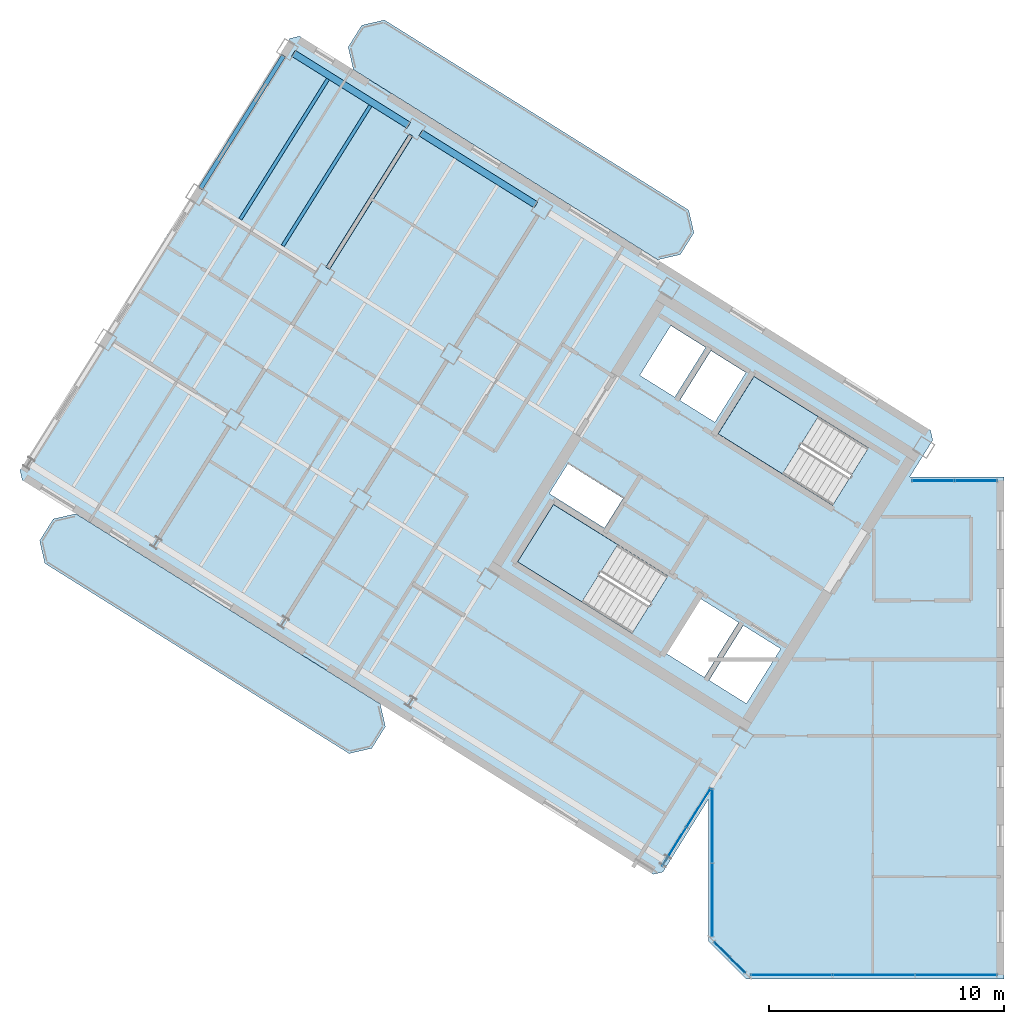
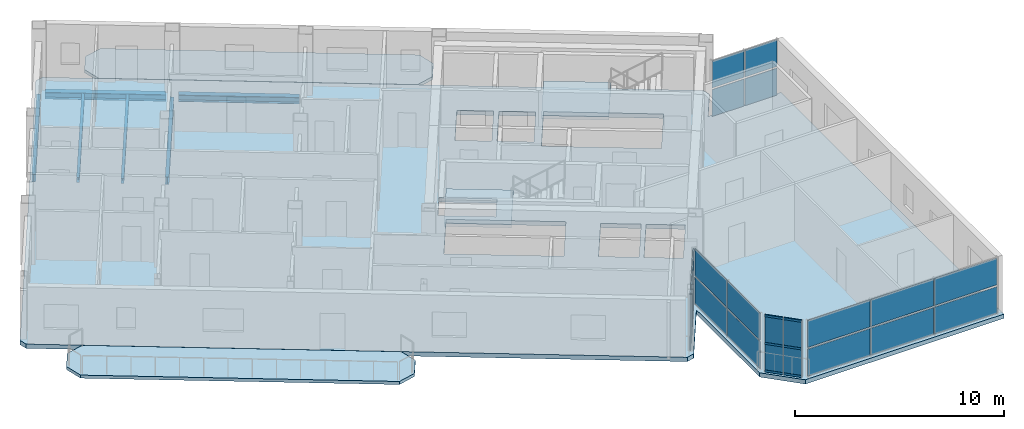
# One storey, part 7 of 14: 22 plates, 6 beams, 6 members, 5 slabs, 7 elements without a shape of their own.
"""IFC4 building model written with IfcOpenShell, lengths in metres."""

from ifc_helpers import new_model, si_unit, direction, frame, origin, origin_2d, place, context, subcontext, project, spatial, polyline, rectangle, hollow_rectangle, i_section, outline, extrude, source, transform, mapped, material, layer, layer_set, material_profile, profile_set, type_object, element, aggregate, save


model = new_model("IFC4")

# Units and contexts
model_context = context("Model", 3, precision=1e-05, world=origin(), true_north=direction((0.0, 1.0)))
body_context = subcontext(model_context, "Body", "Model", "MODEL_VIEW")
ifc_project = project(units=[si_unit("LENGTHUNIT", "METRE"), si_unit("AREAUNIT", "SQUARE_METRE"), si_unit("VOLUMEUNIT", "CUBIC_METRE"), si_unit("PLANEANGLEUNIT", "RADIAN"), si_unit("MASSUNIT", "GRAM", prefix="KILO")], contexts=[model_context])

# Site, building, storey
site_placement = place(None, origin())
site = spatial("IfcSite", under=ifc_project, at=site_placement, CompositionType="ELEMENT")
building_placement = place(site_placement, origin())
building = spatial("IfcBuilding", under=site, at=building_placement, Name="Tlacorven Tower", CompositionType="ELEMENT")
storey_placement = place(building_placement, frame((0.0, 0.0, 273.60009765625)))
storey = spatial("IfcBuildingStorey", under=building, at=storey_placement, Name="L69", CompositionType="ELEMENT", Elevation=273.60009765625)

# Beams
ifc_material_1 = material(Name="Steel S355J2", Category="steel")
ifc_material_profile_1 = material_profile(ifc_material_1, i_section(OverallWidth=0.300048828125, OverallDepth=0.389892578125, WebThickness=0.010986328125, FlangeThickness=0.01904296875, at=origin_2d()), Name="HEA 400")
ifc_profile_set_1 = profile_set([ifc_material_profile_1], Name="Steel S355J2")
beam_type_1 = type_object("IfcBeamType", Name="BM-SPN-400", PredefinedType="SPANDREL", material=ifc_profile_set_1)
shared_shape_1 = source(origin(), body_context, "Body", "SweptSolid", [
    extrude(i_section(OverallWidth=0.300048828125, OverallDepth=0.389892578125, WebThickness=0.010986328125, FlangeThickness=0.01904296875, at=origin_2d()), origin(), (0.0, 0.0, 1.0), 5.800048828125),
])
for number, where, z_axis, x_axis, name in (
    (1, (24.24609375, 34.8017578125, -0.445068359375), (-0.848052689693, 0.529911912967, 0.0), (-0.529911912967, -0.848052689693, 0.0), "L69 beam BM-L69-WL1-4"),
    (2, (18.818603515625, 38.193359375, -0.445068359375), (-0.848052689693, 0.529911912967, 0.0), (-0.529911912967, -0.848052689693, 0.0), "L69 beam BM-L69-WL1-5"),
):
    element("IfcBeam", number, at=place(storey_placement, frame(where, z_axis=z_axis, x_axis=x_axis)), inside=storey, type_object=beam_type_1, Name=name, PredefinedType="SPANDREL", context=body_context, shape_type="MappedRepresentation", body=[
        mapped(shared_shape_1, transform((0.0, 0.0, 0.0), scale=1.0)),
    ])
ifc_material_profile_2 = material_profile(ifc_material_1, i_section(OverallWidth=0.14990234375, OverallDepth=0.300048828125, WebThickness=0.007080078125, FlangeThickness=0.0107421875, at=origin_2d()), Name="IPE 300")
ifc_profile_set_2 = profile_set([ifc_material_profile_2], Name="Steel S355J2")
beam_type_2 = type_object("IfcBeamType", Name="BM-JST-300", PredefinedType="JOIST", material=ifc_profile_set_2)
shared_shape_2 = source(origin(), body_context, "Body", "SweptSolid", [
    extrude(i_section(OverallWidth=0.14990234375, OverallDepth=0.300048828125, WebThickness=0.007080078125, FlangeThickness=0.0107421875, at=origin_2d()), origin(), (0.0, 0.0, 1.0), 7.044921875),
])
for number, where, z_axis, x_axis, name in (
    (3, (17.181640625, 39.033447265625, -0.400146484375), (-0.529899256491, -0.848060598053, 0.0), (0.848060598053, -0.529899256491, 0.0), "L69 beam BM-L69-WJ5-1-1"),
    (4, (15.372314453125, 40.163818359375, -0.400146484375), (-0.52991483005, -0.848050866925, 0.0), (0.848050866925, -0.52991483005, 0.0), "L69 beam BM-L69-WJ5-1-2"),
):
    element("IfcBeam", number, at=place(storey_placement, frame(where, z_axis=z_axis, x_axis=x_axis)), inside=storey, type_object=beam_type_2, Name=name, PredefinedType="JOIST", context=body_context, shape_type="MappedRepresentation", body=[
        mapped(shared_shape_2, transform((0.0, 0.0, 0.0), scale=1.0)),
    ])
ifc_material_profile_3 = material_profile(ifc_material_1, i_section(OverallWidth=0.18994140625, OverallDepth=0.449951171875, WebThickness=0.009521484375, FlangeThickness=0.0146484375, at=origin_2d()), Name="IPE 450")
ifc_profile_set_3 = profile_set([ifc_material_profile_3], Name="Steel S355J2")
beam_type_3 = type_object("IfcBeamType", Name="BM-TWR-450", PredefinedType="BEAM", material=ifc_profile_set_3)
shared_shape_3 = source(origin(), body_context, "Body", "SweptSolid", [
    extrude(i_section(OverallWidth=0.18994140625, OverallDepth=0.449951171875, WebThickness=0.009521484375, FlangeThickness=0.0146484375, at=origin_2d()), origin(), (0.0, 0.0, 1.0), 6.699951171875),
])
beam_1_placement = place(storey_placement, frame((13.486328125, 41.17138671875, -0.47509765625), z_axis=(-0.529903948186, -0.848057666493, 0.0), x_axis=(0.848057666493, -0.529903948186, 0.0)))
element("IfcBeam", 5, at=beam_1_placement, inside=storey, type_object=beam_type_3, Name="L69 beam BM-L69-WT6-1", PredefinedType="BEAM", context=body_context, shape_type="MappedRepresentation", body=[
    mapped(shared_shape_3, transform((0.0, 0.0, 0.0), scale=1.0)),
])
shared_shape_4 = source(origin(), body_context, "Body", "SweptSolid", [
    extrude(i_section(OverallWidth=0.18994140625, OverallDepth=0.449951171875, WebThickness=0.009521484375, FlangeThickness=0.0146484375, at=origin_2d()), origin(), (0.0, 0.0, 1.0), 6.7001953125),
])
beam_2_placement = place(storey_placement, frame((18.9140625, 37.780029296875, -0.47509765625), z_axis=(-0.52991377951, -0.848051523367, 0.0), x_axis=(0.848051523367, -0.52991377951, 0.0)))
element("IfcBeam", 6, at=beam_2_placement, inside=storey, type_object=beam_type_3, Name="L69 beam BM-L69-WT5-1", PredefinedType="BEAM", context=body_context, shape_type="MappedRepresentation", body=[
    mapped(shared_shape_4, transform((0.0, 0.0, 0.0), scale=1.0)),
])

# Curtain wall, members
ifc_material_2 = material(Name="Dark solar low-E double glazing in aluminium frame", Category="aluminium")
curtain_wall_type = type_object("IfcCurtainWallType", Name="CW-TWR-HIGH", PredefinedType="USERDEFINED", material=ifc_material_2)
curtain_wall_1_placement = place(storey_placement, origin())
curtain_wall_1 = element("IfcCurtainWall", 7, at=curtain_wall_1_placement, inside=storey, type_object=curtain_wall_type, Name="L69 CW-TWR-HIGH Curtain Wall 320", ObjectType="UNITISED CURTAIN WALL", PredefinedType="USERDEFINED")
ifc_material_3 = material(Name="Aluminium 6063-T6 anodised", Category="aluminium")
ifc_material_profile_4 = material_profile(ifc_material_3, hollow_rectangle(XDim=0.054931640625, YDim=0.1201171875, WallThickness=0.00341796875, at=origin_2d()), Name="ALU TRANSOM 55X120")
ifc_profile_set_4 = profile_set([ifc_material_profile_4], Name="Aluminium 6063-T6 anodised")
member_type = type_object("IfcMemberType", Name="CWT-03", PredefinedType="USERDEFINED", material=ifc_profile_set_4)
shared_shape_5 = source(origin(), body_context, "Body", "SweptSolid", [
    extrude(hollow_rectangle(XDim=0.054931640625, YDim=0.1201171875, WallThickness=0.00341796875, at=origin_2d()), origin(), (0.0, 0.0, 1.0), 0.899169921875),
])
member_1_placement = place(storey_placement, frame((33.16162109375, 2.064697265625, 0.059814453125), z_axis=(-0.707106781187, 0.707106781187, 0.0), x_axis=(-0.707106781187, -0.707106781187, 0.0)))
member_1 = element("IfcMember", 8, at=member_1_placement, type_object=member_type, Name="CW-L69-320 Transom 1", ObjectType="TRANSOM", PredefinedType="USERDEFINED", context=body_context, shape_type="MappedRepresentation", body=[
    mapped(shared_shape_5, transform((0.0, 0.0, 0.0), scale=1.0)),
])
member_2_placement = place(storey_placement, frame((33.16162109375, 2.064697265625, 1.6748046875), z_axis=(-0.707106781187, 0.707106781187, 0.0), x_axis=(-0.707106781187, -0.707106781187, 0.0)))
member_2 = element("IfcMember", 9, at=member_2_placement, type_object=member_type, Name="CW-L69-320 Transom 2", ObjectType="TRANSOM", PredefinedType="USERDEFINED", context=body_context, shape_type="MappedRepresentation", body=[
    mapped(shared_shape_5, transform((0.0, 0.0, 0.0), scale=1.0)),
])
member_3_placement = place(storey_placement, frame((33.16162109375, 2.064697265625, 3.289794921875), z_axis=(-0.707106781187, 0.707106781187, 0.0), x_axis=(-0.707106781187, -0.707106781187, 0.0)))
member_3 = element("IfcMember", 10, at=member_3_placement, type_object=member_type, Name="CW-L69-320 Transom 3", ObjectType="TRANSOM", PredefinedType="USERDEFINED", context=body_context, shape_type="MappedRepresentation", body=[
    mapped(shared_shape_5, transform((0.0, 0.0, 0.0), scale=1.0)),
])
member_4_placement = place(storey_placement, frame((32.50048828125, 2.725830078125, 0.059814453125), z_axis=(-0.707106781187, 0.707106781187, 0.0), x_axis=(-0.707106781187, -0.707106781187, 0.0)))
member_4 = element("IfcMember", 11, at=member_4_placement, type_object=member_type, Name="CW-L69-320 Transom 4", ObjectType="TRANSOM", PredefinedType="USERDEFINED", context=body_context, shape_type="MappedRepresentation", body=[
    mapped(shared_shape_5, transform((0.0, 0.0, 0.0), scale=1.0)),
])
member_5_placement = place(storey_placement, frame((32.50048828125, 2.725830078125, 1.6748046875), z_axis=(-0.707106781187, 0.707106781187, 0.0), x_axis=(-0.707106781187, -0.707106781187, 0.0)))
member_5 = element("IfcMember", 12, at=member_5_placement, type_object=member_type, Name="CW-L69-320 Transom 5", ObjectType="TRANSOM", PredefinedType="USERDEFINED", context=body_context, shape_type="MappedRepresentation", body=[
    mapped(shared_shape_5, transform((0.0, 0.0, 0.0), scale=1.0)),
])
member_6_placement = place(storey_placement, frame((32.50048828125, 2.725830078125, 3.289794921875), z_axis=(-0.707106781187, 0.707106781187, 0.0), x_axis=(-0.707106781187, -0.707106781187, 0.0)))
member_6 = element("IfcMember", 13, at=member_6_placement, type_object=member_type, Name="CW-L69-320 Transom 6", ObjectType="TRANSOM", PredefinedType="USERDEFINED", context=body_context, shape_type="MappedRepresentation", body=[
    mapped(shared_shape_5, transform((0.0, 0.0, 0.0), scale=1.0)),
])

# Slabs
ifc_material_4 = material(Name="Precast concrete C45/55", Category="concrete")
ifc_layer_1 = layer(ifc_material_4, 0.179931640625)
ifc_layer_set_1 = layer_set([ifc_layer_1], Name="Precast concrete C45/55")
slab_type_1 = type_object("IfcSlabType", Name="SL-BAL-180", PredefinedType="USERDEFINED", material=ifc_layer_set_1)
slab_1_placement = place(storey_placement, frame((0.0, 0.0, -0.18017578125)))
element("IfcSlab", 14, at=slab_1_placement, inside=storey, type_object=slab_type_1, Name="L69 West Wing Balcony Ribbon OUT", ObjectType="BALCONY SLAB", PredefinedType="USERDEFINED", context=body_context, shape_type="SweptSolid", body=[
    extrude(outline(polyline([(17.601318359375, 13.52490234375), (4.626220703125, 21.632568359375), (3.66162109375, 21.409912109375), (3.081298828125, 20.4814453125), (3.303955078125, 19.516845703125), (16.279052734375, 11.408935546875), (17.24365234375, 11.6318359375), (17.823974609375, 12.560302734375), (17.601318359375, 13.52490234375)])), origin(), (0.0, 0.0, 1.0), 0.18017578125),
])
slab_2_placement = place(storey_placement, frame((0.0, 0.0, -0.18017578125)))
element("IfcSlab", 15, at=slab_2_placement, inside=storey, type_object=slab_type_1, Name="L69 West Wing Balcony Ribbon IN", ObjectType="BALCONY SLAB", PredefinedType="USERDEFINED", context=body_context, shape_type="SweptSolid", body=[
    extrude(outline(polyline([(30.756591796875, 34.57763671875), (17.781494140625, 42.685546875), (16.81689453125, 42.462890625), (16.236572265625, 41.5341796875), (16.459228515625, 40.569580078125), (29.434326171875, 32.4619140625), (30.39892578125, 32.6845703125), (30.979248046875, 33.613037109375), (30.756591796875, 34.57763671875)])), origin(), (0.0, 0.0, 1.0), 0.18017578125),
])

# Stair, slab
ifc_material_5 = material(Name="Concrete C40/50", Category="concrete")
stair_type = type_object("IfcStairType", Name="ST-CORE-DLG", PredefinedType="HALF_TURN_STAIR", material=ifc_material_5)
stair_1_placement = place(storey_placement, origin())
stair_1 = element("IfcStair", 16, at=stair_1_placement, inside=storey, type_object=stair_type, Name="L69 Protected Exit Stair West 1", PredefinedType="HALF_TURN_STAIR")
ifc_layer_2 = layer(ifc_material_5, 0.199951171875)
ifc_layer_set_2 = layer_set([ifc_layer_2], Name="Concrete C40/50")
slab_type_2 = type_object("IfcSlabType", Name="SL-LND-200", PredefinedType="LANDING", material=ifc_layer_set_2)
slab_3_placement = place(storey_placement, frame((0.0, 0.0, 1.599853515625)))
slab_3 = element("IfcSlab", 17, at=slab_3_placement, type_object=slab_type_2, Name="ST-W1 landing 1", PredefinedType="LANDING", context=body_context, shape_type="SweptSolid", body=[
    extrude(outline(polyline([(27.728515625, 20.315185546875), (24.9892578125, 22.02685546875), (23.463134765625, 19.58447265625), (26.2021484375, 17.872802734375), (27.728515625, 20.315185546875)])), origin(), (0.0, 0.0, 1.0), 0.199951171875),
])
aggregate(stair_1, [slab_3])

stair_2_placement = place(storey_placement, origin())
stair_2 = element("IfcStair", 18, at=stair_2_placement, inside=storey, type_object=stair_type, Name="L69 Protected Exit Stair West 2", PredefinedType="HALF_TURN_STAIR")
slab_4_placement = place(storey_placement, frame((0.0, 0.0, 1.599853515625)))
slab_4 = element("IfcSlab", 19, at=slab_4_placement, type_object=slab_type_2, Name="ST-W2 landing 1", PredefinedType="LANDING", context=body_context, shape_type="SweptSolid", body=[
    extrude(outline(polyline([(36.280029296875, 25.772705078125), (33.540771484375, 27.484375), (32.0146484375, 25.0419921875), (34.75390625, 23.33056640625), (36.280029296875, 25.772705078125)])), origin(), (0.0, 0.0, 1.0), 0.199951171875),
])
aggregate(stair_2, [slab_4])

# Slab
ifc_layer_3 = layer(ifc_material_5, 0.25)
ifc_layer_set_3 = layer_set([ifc_layer_3], Name="Concrete C40/50")
slab_type_3 = type_object("IfcSlabType", Name="SL-TWR-250", PredefinedType="FLOOR", material=ifc_layer_set_3)
slab_5_placement = place(storey_placement, frame((0.0, 0.0, -0.25)))
element("IfcSlab", 20, at=slab_5_placement, inside=storey, type_object=slab_type_3, Name="L69 Boomerang Tower Floor Slab", PredefinedType="FLOOR", context=body_context, shape_type="SweptSolid", body=[
    extrude(outline(polyline([(44.199951171875, 23.199951171875), (44.199951171875, 1.800048828125), (33.199951171875, 1.800048828125), (31.60009765625, 3.39990234375), (31.60009765625, 9.470703125), (29.652587890625, 6.35400390625), (29.2392578125, 6.258544921875), (2.339111328125, 23.067626953125), (2.24365234375, 23.481201171875), (13.75341796875, 41.900634765625), (14.1669921875, 41.99609375), (41.06689453125, 25.18701171875), (41.162353515625, 24.773681640625), (40.178955078125, 23.199951171875), (44.199951171875, 23.199951171875)]), holes=[polyline([(29.865478515625, 18.979736328125), (24.9892578125, 22.02685546875), (23.463134765625, 19.58447265625), (28.33935546875, 16.537353515625), (29.865478515625, 18.979736328125)]), polyline([(38.4169921875, 24.4375), (33.540771484375, 27.484375), (32.0146484375, 25.0419921875), (36.890869140625, 21.9951171875), (38.4169921875, 24.4375)]), polyline([(34.682373046875, 15.87548828125), (33.088134765625, 16.871826171875), (31.62548828125, 14.531005859375), (33.2197265625, 13.534912109375), (34.682373046875, 15.87548828125)]), polyline([(32.884521484375, 16.9990234375), (31.2392578125, 18.02685546875), (29.77685546875, 15.686279296875), (31.421875, 14.658203125), (32.884521484375, 16.9990234375)]), polyline([(33.197265625, 27.65185546875), (31.704833984375, 28.58447265625), (30.3798828125, 26.46435546875), (31.87255859375, 25.53173828125), (33.197265625, 27.65185546875)]), polyline([(31.484375, 28.722412109375), (29.99169921875, 29.655029296875), (28.6669921875, 27.534912109375), (30.159423828125, 26.602294921875), (31.484375, 28.722412109375)]), polyline([(27.96142578125, 22.2919921875), (25.603759765625, 23.76513671875), (24.80908203125, 22.4931640625), (27.16650390625, 21.02001953125), (27.96142578125, 22.2919921875)])]), origin(), (0.0, 0.0, 1.0), 0.25),
])

# Plate
ifc_material_6 = material(Name="High-wind dark solar tempered low-E glazing", Category="glass")
ifc_layer_4 = layer(ifc_material_6, 0.028076171875)
ifc_layer_set_4 = layer_set([ifc_layer_4], Name="High-wind dark solar tempered low-E glazing")
plate_type = type_object("IfcPlateType", Name="CWP-03", PredefinedType="CURTAIN_PANEL", material=ifc_layer_set_4)
shared_shape_6 = source(origin(), body_context, "Body", "SweptSolid", [
    extrude(rectangle(XDim=0.89306640625, YDim=0.028076171875, at=origin_2d()), origin(), (0.0, 0.0, 1.0), 1.572998046875),
])
plate_1_placement = place(storey_placement, frame((32.84375, 2.382568359375, 0.05078125), z_axis=(0.0, 0.0, 1.0), x_axis=(-0.707106781187, 0.707106781187, 0.0)))
plate_1 = element("IfcPlate", 21, at=plate_1_placement, type_object=plate_type, Name="CW-L69-320 Glazing Panel 1", PredefinedType="CURTAIN_PANEL", context=body_context, shape_type="MappedRepresentation", body=[
    mapped(shared_shape_6, transform((0.0, 0.0, 0.0), scale=1.0)),
])

plate_2_placement = place(storey_placement, frame((32.84375, 2.382568359375, 1.72607421875), z_axis=(0.0, 0.0, 1.0), x_axis=(-0.707106781187, 0.707106781187, 0.0)))
plate_2 = element("IfcPlate", 22, at=plate_2_placement, type_object=plate_type, Name="CW-L69-320 Glazing Panel 2", PredefinedType="CURTAIN_PANEL", context=body_context, shape_type="MappedRepresentation", body=[
    mapped(shared_shape_6, transform((0.0, 0.0, 0.0), scale=1.0)),
])

plate_3_placement = place(storey_placement, frame((32.1826171875, 3.043701171875, 0.05078125), z_axis=(0.0, 0.0, 1.0), x_axis=(-0.707106781187, 0.707106781187, 0.0)))
plate_3 = element("IfcPlate", 23, at=plate_3_placement, type_object=plate_type, Name="CW-L69-320 Glazing Panel 3", PredefinedType="CURTAIN_PANEL", context=body_context, shape_type="MappedRepresentation", body=[
    mapped(shared_shape_6, transform((0.0, 0.0, 0.0), scale=1.0)),
])

plate_4_placement = place(storey_placement, frame((32.1826171875, 3.043701171875, 1.72607421875), z_axis=(0.0, 0.0, 1.0), x_axis=(-0.707106781187, 0.707106781187, 0.0)))
plate_4 = element("IfcPlate", 24, at=plate_4_placement, type_object=plate_type, Name="CW-L69-320 Glazing Panel 4", PredefinedType="CURTAIN_PANEL", context=body_context, shape_type="MappedRepresentation", body=[
    mapped(shared_shape_6, transform((0.0, 0.0, 0.0), scale=1.0)),
])

aggregate(curtain_wall_1, [member_1, member_2, member_3, plate_1, plate_2, member_4, member_5, member_6, plate_3, plate_4])

# Curtain wall, plates
curtain_wall_2_placement = place(storey_placement, origin())
curtain_wall_2 = element("IfcCurtainWall", 25, at=curtain_wall_2_placement, inside=storey, type_object=curtain_wall_type, Name="L69 CW-TWR-HIGH Curtain Wall 321", ObjectType="UNITISED CURTAIN WALL", PredefinedType="USERDEFINED")
shared_shape_7 = source(origin(), body_context, "Body", "SweptSolid", [
    extrude(rectangle(XDim=3.109130859375, YDim=0.028076171875, at=origin_2d()), origin(), (0.0, 0.0, 1.0), 1.572998046875),
])
plate_5_placement = place(storey_placement, frame((31.760009765625, 5.171875, 0.05078125), z_axis=(0.0, 0.0, 1.0), x_axis=(0.0, 1.0, 0.0)))
plate_5 = element("IfcPlate", 26, at=plate_5_placement, type_object=plate_type, Name="CW-L69-321 Glazing Panel 1", PredefinedType="CURTAIN_PANEL", context=body_context, shape_type="MappedRepresentation", body=[
    mapped(shared_shape_7, transform((0.0, 0.0, 0.0), scale=1.0)),
])
plate_6_placement = place(storey_placement, frame((31.760009765625, 5.171875, 1.72607421875), z_axis=(0.0, 0.0, 1.0), x_axis=(0.0, 1.0, 0.0)))
plate_6 = element("IfcPlate", 27, at=plate_6_placement, type_object=plate_type, Name="CW-L69-321 Glazing Panel 2", PredefinedType="CURTAIN_PANEL", context=body_context, shape_type="MappedRepresentation", body=[
    mapped(shared_shape_7, transform((0.0, 0.0, 0.0), scale=1.0)),
])
plate_7_placement = place(storey_placement, frame((31.760009765625, 8.322998046875, 0.05078125), z_axis=(0.0, 0.0, 1.0), x_axis=(0.0, 1.0, 0.0)))
plate_7 = element("IfcPlate", 28, at=plate_7_placement, type_object=plate_type, Name="CW-L69-321 Glazing Panel 3", PredefinedType="CURTAIN_PANEL", context=body_context, shape_type="MappedRepresentation", body=[
    mapped(shared_shape_7, transform((0.0, 0.0, 0.0), scale=1.0)),
])
plate_8_placement = place(storey_placement, frame((31.760009765625, 8.322998046875, 1.72607421875), z_axis=(0.0, 0.0, 1.0), x_axis=(0.0, 1.0, 0.0)))
plate_8 = element("IfcPlate", 29, at=plate_8_placement, type_object=plate_type, Name="CW-L69-321 Glazing Panel 4", PredefinedType="CURTAIN_PANEL", context=body_context, shape_type="MappedRepresentation", body=[
    mapped(shared_shape_7, transform((0.0, 0.0, 0.0), scale=1.0)),
])
aggregate(curtain_wall_2, [plate_5, plate_6, plate_7, plate_8])

curtain_wall_3_placement = place(storey_placement, origin())
curtain_wall_3 = element("IfcCurtainWall", 30, at=curtain_wall_3_placement, inside=storey, type_object=curtain_wall_type, Name="L69 CW-TWR-HIGH Curtain Wall 322", ObjectType="UNITISED CURTAIN WALL", PredefinedType="USERDEFINED")
shared_shape_8 = source(origin(), body_context, "Body", "SweptSolid", [
    extrude(rectangle(XDim=1.911376953125, YDim=0.028076171875, at=origin_2d()), origin(), (0.0, 0.0, 1.0), 1.572998046875),
])
plate_9_placement = place(storey_placement, frame((31.173583984375, 9.090087890625, 0.05078125), z_axis=(0.0, 0.0, 1.0), x_axis=(-0.529918710919, -0.848048441905, 0.0)))
plate_9 = element("IfcPlate", 31, at=plate_9_placement, type_object=plate_type, Name="CW-L69-322 Glazing Panel 1", PredefinedType="CURTAIN_PANEL", context=body_context, shape_type="MappedRepresentation", body=[
    mapped(shared_shape_8, transform((0.0, 0.0, 0.0), scale=1.0)),
])
plate_10_placement = place(storey_placement, frame((31.173583984375, 9.090087890625, 1.72607421875), z_axis=(0.0, 0.0, 1.0), x_axis=(-0.529918710919, -0.848048441905, 0.0)))
plate_10 = element("IfcPlate", 32, at=plate_10_placement, type_object=plate_type, Name="CW-L69-322 Glazing Panel 2", PredefinedType="CURTAIN_PANEL", context=body_context, shape_type="MappedRepresentation", body=[
    mapped(shared_shape_8, transform((0.0, 0.0, 0.0), scale=1.0)),
])
plate_11_placement = place(storey_placement, frame((30.138427734375, 7.43359375, 0.05078125), z_axis=(0.0, 0.0, 1.0), x_axis=(-0.529918710919, -0.848048441905, 0.0)))
plate_11 = element("IfcPlate", 33, at=plate_11_placement, type_object=plate_type, Name="CW-L69-322 Glazing Panel 3", PredefinedType="CURTAIN_PANEL", context=body_context, shape_type="MappedRepresentation", body=[
    mapped(shared_shape_8, transform((0.0, 0.0, 0.0), scale=1.0)),
])
plate_12_placement = place(storey_placement, frame((30.138427734375, 7.43359375, 1.72607421875), z_axis=(0.0, 0.0, 1.0), x_axis=(-0.529918710919, -0.848048441905, 0.0)))
plate_12 = element("IfcPlate", 34, at=plate_12_placement, type_object=plate_type, Name="CW-L69-322 Glazing Panel 4", PredefinedType="CURTAIN_PANEL", context=body_context, shape_type="MappedRepresentation", body=[
    mapped(shared_shape_8, transform((0.0, 0.0, 0.0), scale=1.0)),
])
aggregate(curtain_wall_3, [plate_9, plate_10, plate_11, plate_12])

curtain_wall_4_placement = place(storey_placement, origin())
curtain_wall_4 = element("IfcCurtainWall", 35, at=curtain_wall_4_placement, inside=storey, type_object=curtain_wall_type, Name="L69 CW-TWR-HIGH Curtain Wall 323", ObjectType="UNITISED CURTAIN WALL", PredefinedType="USERDEFINED")
shared_shape_9 = source(origin(), body_context, "Body", "SweptSolid", [
    extrude(rectangle(XDim=1.776123046875, YDim=0.028076171875, at=origin_2d()), origin(), (0.0, 0.0, 1.0), 1.572998046875),
])
plate_13_placement = place(storey_placement, frame((41.182861328125, 23.0400390625, 0.05078125), z_axis=(0.0, 0.0, 1.0), x_axis=(1.0, 0.0, 0.0)))
plate_13 = element("IfcPlate", 36, at=plate_13_placement, type_object=plate_type, Name="CW-L69-323 Glazing Panel 1", PredefinedType="CURTAIN_PANEL", context=body_context, shape_type="MappedRepresentation", body=[
    mapped(shared_shape_9, transform((0.0, 0.0, 0.0), scale=1.0)),
])
plate_14_placement = place(storey_placement, frame((41.182861328125, 23.0400390625, 1.72607421875), z_axis=(0.0, 0.0, 1.0), x_axis=(1.0, 0.0, 0.0)))
plate_14 = element("IfcPlate", 37, at=plate_14_placement, type_object=plate_type, Name="CW-L69-323 Glazing Panel 2", PredefinedType="CURTAIN_PANEL", context=body_context, shape_type="MappedRepresentation", body=[
    mapped(shared_shape_9, transform((0.0, 0.0, 0.0), scale=1.0)),
])
plate_15_placement = place(storey_placement, frame((43.0009765625, 23.0400390625, 0.05078125), z_axis=(0.0, 0.0, 1.0), x_axis=(1.0, 0.0, 0.0)))
plate_15 = element("IfcPlate", 38, at=plate_15_placement, type_object=plate_type, Name="CW-L69-323 Glazing Panel 3", PredefinedType="CURTAIN_PANEL", context=body_context, shape_type="MappedRepresentation", body=[
    mapped(shared_shape_9, transform((0.0, 0.0, 0.0), scale=1.0)),
])
plate_16_placement = place(storey_placement, frame((43.0009765625, 23.0400390625, 1.72607421875), z_axis=(0.0, 0.0, 1.0), x_axis=(1.0, 0.0, 0.0)))
plate_16 = element("IfcPlate", 39, at=plate_16_placement, type_object=plate_type, Name="CW-L69-323 Glazing Panel 4", PredefinedType="CURTAIN_PANEL", context=body_context, shape_type="MappedRepresentation", body=[
    mapped(shared_shape_9, transform((0.0, 0.0, 0.0), scale=1.0)),
])
aggregate(curtain_wall_4, [plate_13, plate_14, plate_15, plate_16])

curtain_wall_5_placement = place(storey_placement, origin())
curtain_wall_5 = element("IfcCurtainWall", 40, at=curtain_wall_5_placement, inside=storey, type_object=curtain_wall_type, Name="L69 CW-TWR-HIGH Curtain Wall 319", ObjectType="UNITISED CURTAIN WALL", PredefinedType="USERDEFINED")
shared_shape_10 = source(origin(), body_context, "Body", "SweptSolid", [
    extrude(rectangle(XDim=3.45263671875, YDim=0.028076171875, at=origin_2d()), origin(), (0.0, 0.0, 1.0), 1.572998046875),
])
plate_17_placement = place(storey_placement, frame((42.16259765625, 1.9599609375, 0.05078125), z_axis=(0.0, 0.0, 1.0), x_axis=(-1.0, 0.0, 0.0)))
plate_17 = element("IfcPlate", 41, at=plate_17_placement, type_object=plate_type, Name="CW-L69-319 Glazing Panel 1", PredefinedType="CURTAIN_PANEL", context=body_context, shape_type="MappedRepresentation", body=[
    mapped(shared_shape_10, transform((0.0, 0.0, 0.0), scale=1.0)),
])
plate_18_placement = place(storey_placement, frame((42.16259765625, 1.9599609375, 1.72607421875), z_axis=(0.0, 0.0, 1.0), x_axis=(-1.0, 0.0, 0.0)))
plate_18 = element("IfcPlate", 42, at=plate_18_placement, type_object=plate_type, Name="CW-L69-319 Glazing Panel 2", PredefinedType="CURTAIN_PANEL", context=body_context, shape_type="MappedRepresentation", body=[
    mapped(shared_shape_10, transform((0.0, 0.0, 0.0), scale=1.0)),
])
plate_19_placement = place(storey_placement, frame((35.1435546875, 1.9599609375, 0.05078125), z_axis=(0.0, 0.0, 1.0), x_axis=(-1.0, 0.0, 0.0)))
plate_19 = element("IfcPlate", 43, at=plate_19_placement, type_object=plate_type, Name="CW-L69-319 Glazing Panel 5", PredefinedType="CURTAIN_PANEL", context=body_context, shape_type="MappedRepresentation", body=[
    mapped(shared_shape_10, transform((0.0, 0.0, 0.0), scale=1.0)),
])
plate_20_placement = place(storey_placement, frame((35.1435546875, 1.9599609375, 1.72607421875), z_axis=(0.0, 0.0, 1.0), x_axis=(-1.0, 0.0, 0.0)))
plate_20 = element("IfcPlate", 44, at=plate_20_placement, type_object=plate_type, Name="CW-L69-319 Glazing Panel 6", PredefinedType="CURTAIN_PANEL", context=body_context, shape_type="MappedRepresentation", body=[
    mapped(shared_shape_10, transform((0.0, 0.0, 0.0), scale=1.0)),
])
shared_shape_11 = source(origin(), body_context, "Body", "SweptSolid", [
    extrude(rectangle(XDim=3.482666015625, YDim=0.028076171875, at=origin_2d()), origin(), (0.0, 0.0, 1.0), 1.572998046875),
])
plate_21_placement = place(storey_placement, frame((38.653076171875, 1.9599609375, 0.05078125), z_axis=(0.0, 0.0, 1.0), x_axis=(-1.0, 0.0, 0.0)))
plate_21 = element("IfcPlate", 45, at=plate_21_placement, type_object=plate_type, Name="CW-L69-319 Glazing Panel 3", PredefinedType="CURTAIN_PANEL", context=body_context, shape_type="MappedRepresentation", body=[
    mapped(shared_shape_11, transform((0.0, 0.0, 0.0), scale=1.0)),
])
plate_22_placement = place(storey_placement, frame((38.653076171875, 1.9599609375, 1.72607421875), z_axis=(0.0, 0.0, 1.0), x_axis=(-1.0, 0.0, 0.0)))
plate_22 = element("IfcPlate", 46, at=plate_22_placement, type_object=plate_type, Name="CW-L69-319 Glazing Panel 4", PredefinedType="CURTAIN_PANEL", context=body_context, shape_type="MappedRepresentation", body=[
    mapped(shared_shape_11, transform((0.0, 0.0, 0.0), scale=1.0)),
])
aggregate(curtain_wall_5, [plate_17, plate_18, plate_21, plate_22, plate_19, plate_20])

save(model, "model.ifc")
